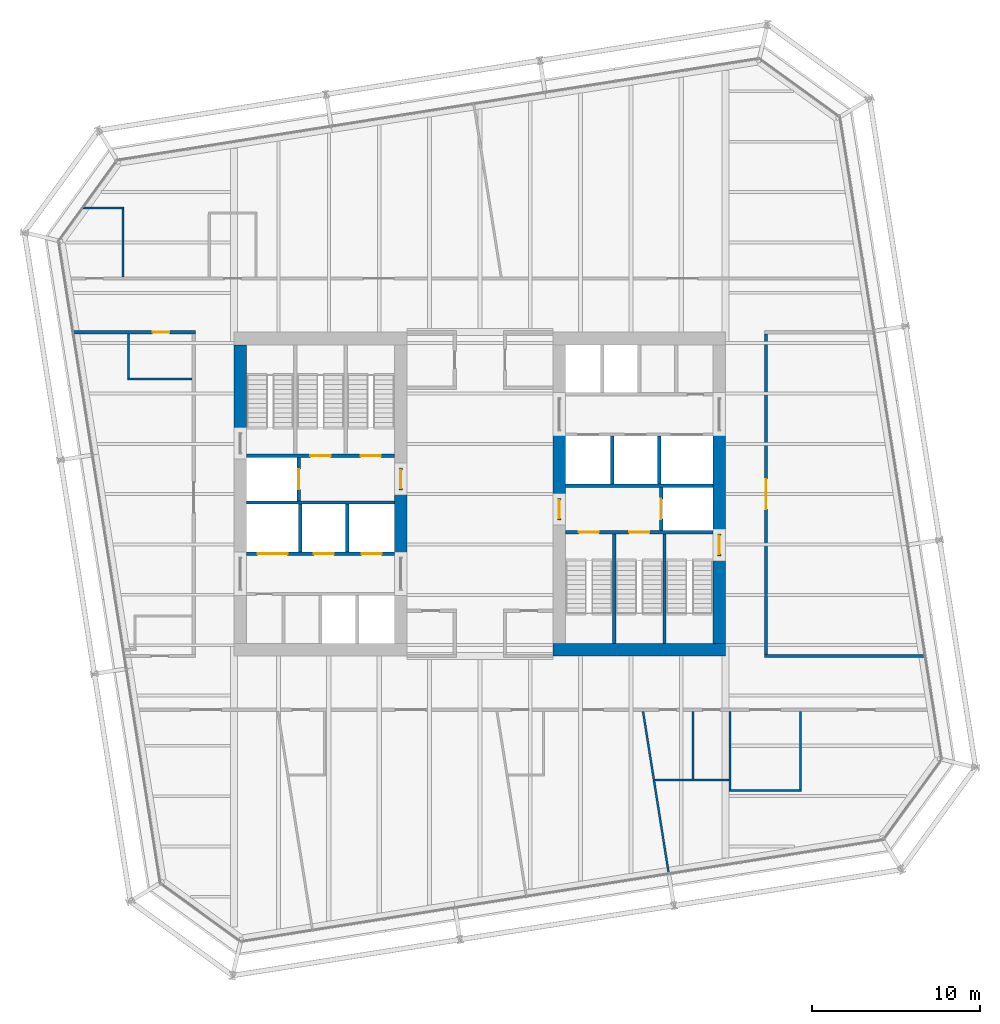
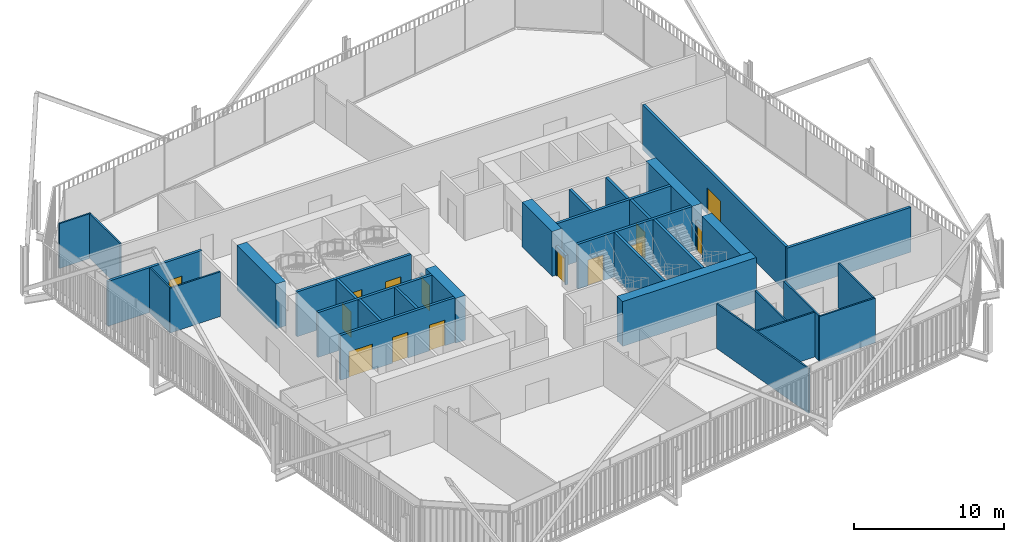
# One storey, part 19 of 22: 35 walls, 14 doors, 14 openings.
"""IFC4 building model written with IfcOpenShell, lengths in metres."""

from ifc_helpers import new_model, si_unit, direction, frame, frame_2d, origin, place, context, subcontext, project, spatial, rectangle, extrude, material, layer, layer_set, type_object, element, fill, save


model = new_model("IFC4")

# Units and contexts
model_context = context("Model", 3, precision=1e-05, world=origin(), true_north=direction((0.0, 1.0)))
body_context = subcontext(model_context, "Body", "Model", "MODEL_VIEW")
ifc_project = project(units=[si_unit("LENGTHUNIT", "METRE"), si_unit("AREAUNIT", "SQUARE_METRE"), si_unit("VOLUMEUNIT", "CUBIC_METRE"), si_unit("PLANEANGLEUNIT", "RADIAN"), si_unit("MASSUNIT", "GRAM", prefix="KILO")], contexts=[model_context])

# Site, building, storey
site_placement = place(None, origin())
site = spatial("IfcSite", under=ifc_project, at=site_placement, CompositionType="ELEMENT")
building_placement = place(site_placement, origin())
building = spatial("IfcBuilding", under=site, at=building_placement, Name="Millrace Tower", CompositionType="ELEMENT")
storey_placement = place(building_placement, frame((0.0, 0.0, 168.5)))
storey = spatial("IfcBuildingStorey", under=building, at=storey_placement, Name="L38", CompositionType="ELEMENT", Elevation=168.5)

# Walls
ifc_material_1 = material(Name="Concrete C70", Category="concrete")
ifc_layer_1 = layer(ifc_material_1, 0.75)
ifc_layer_set_1 = layer_set([ifc_layer_1], Name="Concrete C70")
wall_type_1 = type_object("IfcWallType", Name="Core wall 750 Concrete C70", PredefinedType="SHEAR", material=ifc_layer_set_1)
wall_1_placement = place(storey_placement, frame((-14.27490234375, 3.679931640625, 0.0), z_axis=(0.0, 0.0, 1.0), x_axis=(0.0, 1.0, 0.0)))
element("IfcWall", 1, at=wall_1_placement, inside=storey, type_object=wall_type_1, Name="Core wall W L38", PredefinedType="SHEAR", context=body_context, shape_type="SweptSolid", body=[
    extrude(rectangle(XDim=5.219970703125, YDim=0.75, at=frame_2d((2.60986328125, 0.0))), origin(), (0.0, 0.0, 1.0), 3.64990234375),
])
wall_2_placement = place(storey_placement, frame((-4.72509765625, -3.75, 0.0), z_axis=(0.0, 0.0, 1.0), x_axis=(0.0, 1.0, 0.0)))
element("IfcWall", 2, at=wall_2_placement, inside=storey, type_object=wall_type_1, Name="Core wall W L38", PredefinedType="SHEAR", context=body_context, shape_type="SweptSolid", body=[
    extrude(rectangle(XDim=4.0, YDim=0.75, at=frame_2d((2.0, 0.0))), origin(), (0.0, 0.0, 1.0), 3.64990234375),
])
wall_3_placement = place(storey_placement, frame((14.64990234375, -9.27490234375, 0.0), z_axis=(0.0, 0.0, 1.0), x_axis=(-1.0, 0.0, 0.0)))
element("IfcWall", 3, at=wall_3_placement, inside=storey, type_object=wall_type_1, Name="Core wall E L38", PredefinedType="SHEAR", context=body_context, shape_type="SweptSolid", body=[
    extrude(rectangle(XDim=10.2998046875, YDim=0.75, at=frame_2d((5.14990234375, 0.0))), origin(), (0.0, 0.0, 1.0), 3.64990234375),
])
wall_4_placement = place(storey_placement, frame((14.27490234375, 3.75, 0.0), z_axis=(0.0, 0.0, 1.0), x_axis=(0.0, -1.0, 0.0)))
element("IfcWall", 4, at=wall_4_placement, inside=storey, type_object=wall_type_1, Name="Core wall E L38", PredefinedType="SHEAR", context=body_context, shape_type="SweptSolid", body=[
    extrude(rectangle(XDim=6.1298828125, YDim=0.75, at=frame_2d((3.06494140625, 0.0))), origin(), (0.0, 0.0, 1.0), 3.64990234375),
])
wall_5_placement = place(storey_placement, frame((14.27490234375, -3.679931640625, 0.0), z_axis=(0.0, 0.0, 1.0), x_axis=(0.0, -1.0, 0.0)))
element("IfcWall", 5, at=wall_5_placement, inside=storey, type_object=wall_type_1, Name="Core wall E L38", PredefinedType="SHEAR", context=body_context, shape_type="SweptSolid", body=[
    extrude(rectangle(XDim=5.219970703125, YDim=0.75, at=frame_2d((2.60986328125, 0.0))), origin(), (0.0, 0.0, 1.0), 3.64990234375),
])
wall_6_placement = place(storey_placement, frame((4.72509765625, 3.75, 0.0), z_axis=(0.0, 0.0, 1.0), x_axis=(0.0, -1.0, 0.0)))
element("IfcWall", 6, at=wall_6_placement, inside=storey, type_object=wall_type_1, Name="Core wall E L38", PredefinedType="SHEAR", context=body_context, shape_type="SweptSolid", body=[
    extrude(rectangle(XDim=4.0, YDim=0.75, at=frame_2d((2.0, 0.0))), origin(), (0.0, 0.0, 1.0), 3.64990234375),
])
ifc_material_2 = material(Name="Masonry partition, fire-rated", Category="masonry")
ifc_layer_2 = layer(ifc_material_2, 0.199951171875)
ifc_layer_set_2 = layer_set([ifc_layer_2], Name="Masonry partition, fire-rated")
wall_type_2 = type_object("IfcWallType", Name="Corridor wall 200", PredefinedType="PARTITIONING", material=ifc_layer_set_2)
wall_7_placement = place(storey_placement, frame((16.949951171875, -9.64990234375, 0.0), z_axis=(0.0, 0.0, 1.0), x_axis=(1.0, 0.0, 0.0)))
element("IfcWall", 7, at=wall_7_placement, inside=storey, type_object=wall_type_2, Name="Corridor wall L38", PredefinedType="PARTITIONING", context=body_context, shape_type="SweptSolid", body=[
    extrude(rectangle(XDim=9.54638671875, YDim=0.199951171875, at=frame_2d((4.773193359375, 0.0))), origin(), (0.0, 0.0, 1.0), 3.64990234375),
])

# Wall, opening, door
wall_8_placement = place(storey_placement, frame((-24.20703125, 9.64990234375, 0.0), z_axis=(0.0, 0.0, 1.0), x_axis=(1.0, 0.0, 0.0)))
wall_8 = element("IfcWall", 8, at=wall_8_placement, inside=storey, type_object=wall_type_2, Name="Corridor wall L38", PredefinedType="PARTITIONING", context=body_context, shape_type="SweptSolid", body=[
    extrude(rectangle(XDim=7.257080078125, YDim=0.199951171875, at=frame_2d((3.62841796875, 0.0))), origin(), (0.0, 0.0, 1.0), 3.64990234375),
])
opening_1_placement = place(wall_8_placement, frame((4.70703125, 0.0, 0.0)))
opening_1 = element("IfcOpeningElement", 9, at=opening_1_placement, cuts=wall_8, Name="Opening 38-P021", PredefinedType="OPENING", context=body_context, shape_type="SweptSolid", body=[
    extrude(rectangle(XDim=1.0, YDim=2.10009765625, at=frame_2d((0.5, 1.050048828125))), frame((0.0, 0.10986328125, 0.0), z_axis=(0.0, -1.0, 0.0), x_axis=(1.0, 0.0, 0.0)), (0.0, 0.0, 1.0), 0.219970703125),
])
ifc_material_3 = material(Name="Steel door set, fire-rated", Category="steel")
door_type_1 = type_object("IfcDoorType", Name="Corridor door 1000 x 2100", OperationType="SINGLE_SWING_LEFT", PredefinedType="DOOR", material=ifc_material_3)
door_1_placement = place(opening_1_placement, frame((1.0, 0.0, 0.0), z_axis=(0.0, 0.0, 1.0), x_axis=(-1.0, 0.0, 0.0)))
door_1 = element("IfcDoor", 10, at=door_1_placement, inside=storey, type_object=door_type_1, Name="Door 38-P021", OperationType="SINGLE_SWING_LEFT", OverallHeight=2.10009765625, OverallWidth=1.0, PredefinedType="DOOR", context=body_context, shape_type="SweptSolid", body=[
    extrude(rectangle(XDim=1.0, YDim=2.10009765625, at=frame_2d((0.5, 1.050048828125))), frame((0.0, 0.02490234375, 0.0), z_axis=(0.0, -1.0, 0.0), x_axis=(1.0, 0.0, 0.0)), (0.0, 0.0, 1.0), 0.050048828125),
])
fill(opening_1, door_1)

wall_9_placement = place(storey_placement, frame((17.050048828125, -9.550048828125, 0.0), z_axis=(0.0, 0.0, 1.0), x_axis=(0.0, 1.0, 0.0)))
wall_9 = element("IfcWall", 11, at=wall_9_placement, inside=storey, type_object=wall_type_2, Name="Corridor wall L38", PredefinedType="PARTITIONING", context=body_context, shape_type="SweptSolid", body=[
    extrude(rectangle(XDim=19.10009765625, YDim=0.199951171875, at=frame_2d((9.550048828125, 0.0))), origin(), (0.0, 0.0, 1.0), 3.64990234375),
])
opening_2_placement = place(wall_9_placement, frame((8.64990234375, 0.0, 0.0)))
opening_2 = element("IfcOpeningElement", 12, at=opening_2_placement, cuts=wall_9, Name="Opening 38-P009", PredefinedType="OPENING", context=body_context, shape_type="SweptSolid", body=[
    extrude(rectangle(XDim=1.800048828125, YDim=2.10009765625, at=frame_2d((0.89990234375, 1.050048828125))), frame((0.0, 0.10986328125, 0.0), z_axis=(0.0, -1.0, 0.0), x_axis=(1.0, 0.0, 0.0)), (0.0, 0.0, 1.0), 0.219970703125),
])
ifc_material_4 = material(Name="Steel door set, fire-rated", Category="steel")
door_type_2 = type_object("IfcDoorType", Name="Corridor door 1800 x 2100", OperationType="DOUBLE_DOOR_SINGLE_SWING", PredefinedType="DOOR", material=ifc_material_4)
door_2_placement = place(opening_2_placement, origin())
door_2 = element("IfcDoor", 13, at=door_2_placement, inside=storey, type_object=door_type_2, Name="Door 38-P009", OperationType="DOUBLE_DOOR_SINGLE_SWING", OverallHeight=2.10009765625, OverallWidth=1.800048828125, PredefinedType="DOOR", context=body_context, shape_type="SweptSolid", body=[
    extrude(rectangle(XDim=1.800048828125, YDim=2.10009765625, at=frame_2d((0.89990234375, 1.050048828125))), frame((0.0, 0.02490234375, 0.0), z_axis=(0.0, -1.0, 0.0), x_axis=(1.0, 0.0, 0.0)), (0.0, 0.0, 1.0), 0.050048828125),
])
fill(opening_2, door_2)

# Wall, openings, doors
ifc_material_5 = material(Name="Masonry partition, fire-rated", Category="masonry")
ifc_layer_3 = layer(ifc_material_5, 0.199951171875)
ifc_layer_set_3 = layer_set([ifc_layer_3], Name="Masonry partition, fire-rated")
wall_type_3 = type_object("IfcWallType", Name="Lift shaft wall 200", PredefinedType="PARTITIONING", material=ifc_layer_set_3)
wall_10_placement = place(storey_placement, frame((-13.89990234375, -3.550048828125, 0.0), z_axis=(0.0, 0.0, 1.0), x_axis=(1.0, 0.0, 0.0)))
wall_10 = element("IfcWall", 14, at=wall_10_placement, inside=storey, type_object=wall_type_3, Name="Lift shaft wall W L38", PredefinedType="PARTITIONING", context=body_context, shape_type="SweptSolid", body=[
    extrude(rectangle(XDim=8.7998046875, YDim=0.199951171875, at=frame_2d((4.39990234375, 0.0))), origin(), (0.0, 0.0, 1.0), 3.64990234375),
])
opening_3_placement = place(wall_10_placement, frame((0.64990234375, 0.0, 0.0)))
opening_3 = element("IfcOpeningElement", 15, at=opening_3_placement, cuts=wall_10, Name="Opening 38-LD05", PredefinedType="OPENING", context=body_context, shape_type="SweptSolid", body=[
    extrude(rectangle(XDim=1.800048828125, YDim=2.10009765625, at=frame_2d((0.89990234375, 1.050048828125))), frame((0.0, 0.10986328125, 0.0), z_axis=(0.0, -1.0, 0.0), x_axis=(1.0, 0.0, 0.0)), (0.0, 0.0, 1.0), 0.219970703125),
])
opening_4_placement = place(wall_10_placement, frame((4.0, 0.0, 0.0)))
opening_4 = element("IfcOpeningElement", 16, at=opening_4_placement, cuts=wall_10, Name="Opening 38-LD06", PredefinedType="OPENING", context=body_context, shape_type="SweptSolid", body=[
    extrude(rectangle(XDim=1.199951171875, YDim=2.10009765625, at=frame_2d((0.60009765625, 1.050048828125))), frame((0.0, 0.10986328125, 0.0), z_axis=(0.0, -1.0, 0.0), x_axis=(1.0, 0.0, 0.0)), (0.0, 0.0, 1.0), 0.219970703125),
])
opening_5_placement = place(wall_10_placement, frame((6.85009765625, 0.0, 0.0)))
opening_5 = element("IfcOpeningElement", 17, at=opening_5_placement, cuts=wall_10, Name="Opening 38-LD07", PredefinedType="OPENING", context=body_context, shape_type="SweptSolid", body=[
    extrude(rectangle(XDim=1.199951171875, YDim=2.10009765625, at=frame_2d((0.60009765625, 1.050048828125))), frame((0.0, 0.10986328125, 0.0), z_axis=(0.0, -1.0, 0.0), x_axis=(1.0, 0.0, 0.0)), (0.0, 0.0, 1.0), 0.219970703125),
])
ifc_material_6 = material(Name="Stainless steel, fire-rated", Category="steel")
door_type_3 = type_object("IfcDoorType", Name="Lift landing door 1200 x 2100", OperationType="DOUBLE_DOOR_SLIDING", PredefinedType="DOOR", material=ifc_material_6)
door_3_placement = place(opening_4_placement, origin())
door_3 = element("IfcDoor", 18, at=door_3_placement, inside=storey, type_object=door_type_3, Name="Lift landing door LF6 L38", OperationType="DOUBLE_DOOR_SLIDING", OverallHeight=2.10009765625, OverallWidth=1.199951171875, PredefinedType="DOOR", context=body_context, shape_type="SweptSolid", body=[
    extrude(rectangle(XDim=1.199951171875, YDim=2.10009765625, at=frame_2d((0.60009765625, 1.050048828125))), frame((0.0, 0.02490234375, 0.0), z_axis=(0.0, -1.0, 0.0), x_axis=(1.0, 0.0, 0.0)), (0.0, 0.0, 1.0), 0.050048828125),
])
fill(opening_4, door_3)
door_4_placement = place(opening_5_placement, origin())
door_4 = element("IfcDoor", 19, at=door_4_placement, inside=storey, type_object=door_type_3, Name="Lift landing door LF7 L38", OperationType="DOUBLE_DOOR_SLIDING", OverallHeight=2.10009765625, OverallWidth=1.199951171875, PredefinedType="DOOR", context=body_context, shape_type="SweptSolid", body=[
    extrude(rectangle(XDim=1.199951171875, YDim=2.10009765625, at=frame_2d((0.60009765625, 1.050048828125))), frame((0.0, 0.02490234375, 0.0), z_axis=(0.0, -1.0, 0.0), x_axis=(1.0, 0.0, 0.0)), (0.0, 0.0, 1.0), 0.050048828125),
])
fill(opening_5, door_4)
ifc_material_7 = material(Name="Stainless steel, fire-rated", Category="steel")
door_type_4 = type_object("IfcDoorType", Name="Lift landing door 1800 x 2100", OperationType="DOUBLE_DOOR_SLIDING", PredefinedType="DOOR", material=ifc_material_7)
door_5_placement = place(opening_3_placement, origin())
door_5 = element("IfcDoor", 20, at=door_5_placement, inside=storey, type_object=door_type_4, Name="Lift landing door LF5 L38", OperationType="DOUBLE_DOOR_SLIDING", OverallHeight=2.10009765625, OverallWidth=1.800048828125, PredefinedType="DOOR", context=body_context, shape_type="SweptSolid", body=[
    extrude(rectangle(XDim=1.800048828125, YDim=2.10009765625, at=frame_2d((0.89990234375, 1.050048828125))), frame((0.0, 0.02490234375, 0.0), z_axis=(0.0, -1.0, 0.0), x_axis=(1.0, 0.0, 0.0)), (0.0, 0.0, 1.0), 0.050048828125),
])
fill(opening_3, door_5)

# Wall
wall_11_placement = place(storey_placement, frame((-13.89990234375, -0.5, 0.0), z_axis=(0.0, 0.0, 1.0), x_axis=(1.0, 0.0, 0.0)))
element("IfcWall", 21, at=wall_11_placement, inside=storey, type_object=wall_type_3, Name="Lift shaft wall W L38", PredefinedType="PARTITIONING", context=body_context, shape_type="SweptSolid", body=[
    extrude(rectangle(XDim=8.7998046875, YDim=0.199951171875, at=frame_2d((4.39990234375, 0.0))), origin(), (0.0, 0.0, 1.0), 3.64990234375),
])

# Wall, opening, door
wall_12_placement = place(storey_placement, frame((-10.800048828125, -0.39990234375, 0.0), z_axis=(0.0, 0.0, 1.0), x_axis=(0.0, 1.0, 0.0)))
wall_12 = element("IfcWall", 22, at=wall_12_placement, inside=storey, type_object=wall_type_3, Name="Lift shaft wall W L38", PredefinedType="PARTITIONING", context=body_context, shape_type="SweptSolid", body=[
    extrude(rectangle(XDim=2.579833984375, YDim=0.199951171875, at=frame_2d((1.2900390625, 0.0))), origin(), (0.0, 0.0, 1.0), 3.64990234375),
])
opening_6_placement = place(wall_12_placement, frame((0.68994140625, 0.0, 0.0)))
opening_6 = element("IfcOpeningElement", 23, at=opening_6_placement, cuts=wall_12, Name="Opening 38-LD08", PredefinedType="OPENING", context=body_context, shape_type="SweptSolid", body=[
    extrude(rectangle(XDim=1.199951171875, YDim=2.10009765625, at=frame_2d((0.60009765625, 1.050048828125))), frame((0.0, 0.10986328125, 0.0), z_axis=(0.0, -1.0, 0.0), x_axis=(1.0, 0.0, 0.0)), (0.0, 0.0, 1.0), 0.219970703125),
])
door_6_placement = place(opening_6_placement, origin())
door_6 = element("IfcDoor", 24, at=door_6_placement, inside=storey, type_object=door_type_3, Name="Lift landing door LF8 L38", OperationType="DOUBLE_DOOR_SLIDING", OverallHeight=2.10009765625, OverallWidth=1.199951171875, PredefinedType="DOOR", context=body_context, shape_type="SweptSolid", body=[
    extrude(rectangle(XDim=1.199951171875, YDim=2.10009765625, at=frame_2d((0.60009765625, 1.050048828125))), frame((0.0, 0.02490234375, 0.0), z_axis=(0.0, -1.0, 0.0), x_axis=(1.0, 0.0, 0.0)), (0.0, 0.0, 1.0), 0.050048828125),
])
fill(opening_6, door_6)

# Walls
for number, where, z_axis, x_axis, name in (
    (25, (-10.699951171875, -3.449951171875, 0.0), (0.0, 0.0, 1.0), (0.0, 1.0, 0.0), "Lift shaft wall W L38"),
    (26, (-7.89990234375, -3.449951171875, 0.0), (0.0, 0.0, 1.0), (0.0, 1.0, 0.0), "Lift shaft wall W L38"),
):
    element("IfcWall", number, at=place(storey_placement, frame(where, z_axis=z_axis, x_axis=x_axis)), inside=storey, type_object=wall_type_3, Name=name, PredefinedType="PARTITIONING", context=body_context, shape_type="SweptSolid", body=[
        extrude(rectangle(XDim=2.849853515625, YDim=0.199951171875, at=frame_2d((1.4248046875, 0.0))), origin(), (0.0, 0.0, 1.0), 3.64990234375),
    ])
wall_13_placement = place(storey_placement, frame((13.89990234375, 0.5, 0.0), z_axis=(0.0, 0.0, 1.0), x_axis=(-1.0, 0.0, 0.0)))
element("IfcWall", 27, at=wall_13_placement, inside=storey, type_object=wall_type_3, Name="Lift shaft wall E L38", PredefinedType="PARTITIONING", context=body_context, shape_type="SweptSolid", body=[
    extrude(rectangle(XDim=8.7998046875, YDim=0.199951171875, at=frame_2d((4.39990234375, 0.0))), origin(), (0.0, 0.0, 1.0), 3.64990234375),
])

# Wall, opening, door
wall_14_placement = place(storey_placement, frame((10.800048828125, 0.39990234375, 0.0), z_axis=(0.0, 0.0, 1.0), x_axis=(0.0, -1.0, 0.0)))
wall_14 = element("IfcWall", 28, at=wall_14_placement, inside=storey, type_object=wall_type_3, Name="Lift shaft wall E L38", PredefinedType="PARTITIONING", context=body_context, shape_type="SweptSolid", body=[
    extrude(rectangle(XDim=2.579833984375, YDim=0.199951171875, at=frame_2d((1.2900390625, 0.0))), origin(), (0.0, 0.0, 1.0), 3.64990234375),
])
opening_7_placement = place(wall_14_placement, frame((0.68994140625, 0.0, 0.0)))
opening_7 = element("IfcOpeningElement", 29, at=opening_7_placement, cuts=wall_14, Name="Opening 38-LD16", PredefinedType="OPENING", context=body_context, shape_type="SweptSolid", body=[
    extrude(rectangle(XDim=1.199951171875, YDim=2.10009765625, at=frame_2d((0.60009765625, 1.050048828125))), frame((0.0, 0.10986328125, 0.0), z_axis=(0.0, -1.0, 0.0), x_axis=(1.0, 0.0, 0.0)), (0.0, 0.0, 1.0), 0.219970703125),
])
door_7_placement = place(opening_7_placement, origin())
door_7 = element("IfcDoor", 30, at=door_7_placement, inside=storey, type_object=door_type_3, Name="Lift landing door LF16 L38", OperationType="DOUBLE_DOOR_SLIDING", OverallHeight=2.10009765625, OverallWidth=1.199951171875, PredefinedType="DOOR", context=body_context, shape_type="SweptSolid", body=[
    extrude(rectangle(XDim=1.199951171875, YDim=2.10009765625, at=frame_2d((0.60009765625, 1.050048828125))), frame((0.0, 0.02490234375, 0.0), z_axis=(0.0, -1.0, 0.0), x_axis=(1.0, 0.0, 0.0)), (0.0, 0.0, 1.0), 0.050048828125),
])
fill(opening_7, door_7)

# Walls
for number, where, z_axis, x_axis, name in (
    (31, (10.699951171875, 3.449951171875, 0.0), (0.0, 0.0, 1.0), (0.0, -1.0, 0.0), "Lift shaft wall E L38"),
    (32, (7.89990234375, 3.449951171875, 0.0), (0.0, 0.0, 1.0), (0.0, -1.0, 0.0), "Lift shaft wall E L38"),
):
    element("IfcWall", number, at=place(storey_placement, frame(where, z_axis=z_axis, x_axis=x_axis)), inside=storey, type_object=wall_type_3, Name=name, PredefinedType="PARTITIONING", context=body_context, shape_type="SweptSolid", body=[
        extrude(rectangle(XDim=2.849853515625, YDim=0.199951171875, at=frame_2d((1.4248046875, 0.0))), origin(), (0.0, 0.0, 1.0), 3.64990234375),
    ])

# Wall, opening, door
ifc_material_8 = material(Name="Masonry partition, fire-rated", Category="masonry")
ifc_layer_4 = layer(ifc_material_8, 0.199951171875)
ifc_layer_set_4 = layer_set([ifc_layer_4], Name="Masonry partition, fire-rated")
wall_type_4 = type_object("IfcWallType", Name="Lobby wall 200", PredefinedType="PARTITIONING", material=ifc_layer_set_4)
wall_15_placement = place(storey_placement, frame((-4.72509765625, 0.25, 0.0), z_axis=(0.0, 0.0, 1.0), x_axis=(0.0, 1.0, 0.0)))
wall_15 = element("IfcWall", 33, at=wall_15_placement, inside=storey, type_object=wall_type_4, Name="Lobby wall W L38", PredefinedType="PARTITIONING", context=body_context, shape_type="SweptSolid", body=[
    extrude(rectangle(XDim=1.300048828125, YDim=0.199951171875, at=frame_2d((0.64990234375, 0.0))), origin(), (0.0, 0.0, 1.0), 2.39990234375),
])
opening_8_placement = place(wall_15_placement, frame((0.10009765625, 0.0, 0.0)))
opening_8 = element("IfcOpeningElement", 34, at=opening_8_placement, cuts=wall_15, Name="Opening 38-C004", PredefinedType="OPENING", context=body_context, shape_type="SweptSolid", body=[
    extrude(rectangle(XDim=1.10009765625, YDim=2.10009765625, at=frame_2d((0.550048828125, 1.050048828125))), frame((0.0, 0.10986328125, 0.0), z_axis=(0.0, -1.0, 0.0), x_axis=(1.0, 0.0, 0.0)), (0.0, 0.0, 1.0), 0.219970703125),
])
ifc_material_9 = material(Name="Steel door, fire-rated", Category="steel")
door_type_5 = type_object("IfcDoorType", Name="Lobby door 1100 x 2100", OperationType="SINGLE_SWING_LEFT", PredefinedType="DOOR", material=ifc_material_9)
door_8_placement = place(opening_8_placement, origin())
door_8 = element("IfcDoor", 35, at=door_8_placement, inside=storey, type_object=door_type_5, Name="Lobby door 38-C004", OperationType="SINGLE_SWING_LEFT", OverallHeight=2.10009765625, OverallWidth=1.10009765625, PredefinedType="DOOR", context=body_context, shape_type="SweptSolid", body=[
    extrude(rectangle(XDim=1.10009765625, YDim=2.10009765625, at=frame_2d((0.550048828125, 1.050048828125))), frame((0.0, 0.02490234375, 0.0), z_axis=(0.0, -1.0, 0.0), x_axis=(1.0, 0.0, 0.0)), (0.0, 0.0, 1.0), 0.050048828125),
])
fill(opening_8, door_8)

wall_16_placement = place(storey_placement, frame((4.72509765625, -0.25, 0.0), z_axis=(0.0, 0.0, 1.0), x_axis=(0.0, -1.0, 0.0)))
wall_16 = element("IfcWall", 36, at=wall_16_placement, inside=storey, type_object=wall_type_4, Name="Lobby wall E L38", PredefinedType="PARTITIONING", context=body_context, shape_type="SweptSolid", body=[
    extrude(rectangle(XDim=1.300048828125, YDim=0.199951171875, at=frame_2d((0.64990234375, 0.0))), origin(), (0.0, 0.0, 1.0), 2.39990234375),
])
opening_9_placement = place(wall_16_placement, frame((0.10009765625, 0.0, 0.0)))
opening_9 = element("IfcOpeningElement", 37, at=opening_9_placement, cuts=wall_16, Name="Opening 38-C011", PredefinedType="OPENING", context=body_context, shape_type="SweptSolid", body=[
    extrude(rectangle(XDim=1.10009765625, YDim=2.10009765625, at=frame_2d((0.550048828125, 1.050048828125))), frame((0.0, 0.10986328125, 0.0), z_axis=(0.0, -1.0, 0.0), x_axis=(1.0, 0.0, 0.0)), (0.0, 0.0, 1.0), 0.219970703125),
])
door_9_placement = place(opening_9_placement, origin())
door_9 = element("IfcDoor", 38, at=door_9_placement, inside=storey, type_object=door_type_5, Name="Lobby door 38-C011", OperationType="SINGLE_SWING_RIGHT", OverallHeight=2.10009765625, OverallWidth=1.10009765625, PredefinedType="DOOR", context=body_context, shape_type="SweptSolid", body=[
    extrude(rectangle(XDim=1.10009765625, YDim=2.10009765625, at=frame_2d((0.550048828125, 1.050048828125))), frame((0.0, 0.02490234375, 0.0), z_axis=(0.0, -1.0, 0.0), x_axis=(1.0, 0.0, 0.0)), (0.0, 0.0, 1.0), 0.050048828125),
])
fill(opening_9, door_9)

# Walls
ifc_material_10 = material(Name="Gypsum board partition")
ifc_layer_5 = layer(ifc_material_10, 0.1201171875)
ifc_layer_set_5 = layer_set([ifc_layer_5], Name="Gypsum board partition")
wall_type_5 = type_object("IfcWallType", Name="Partition wall 120", PredefinedType="PARTITIONING", material=ifc_layer_set_5)
wall_17_placement = place(storey_placement, frame((9.724853515625, -12.948974609375, 0.0), z_axis=(0.0, 0.0, 1.0), x_axis=(0.156559017044, -0.987668605445, 0.0)))
element("IfcWall", 39, at=wall_17_placement, inside=storey, type_object=wall_type_5, Name="Partition wall L38", PredefinedType="PARTITIONING", context=body_context, shape_type="SweptSolid", body=[
    extrude(rectangle(XDim=9.752685546875, YDim=0.1201171875, at=frame_2d((4.87646484375, 0.0))), origin(), (0.0, 0.0, 1.0), 3.64990234375),
])
wall_18_placement = place(storey_placement, frame((14.85009765625, -17.64990234375, 0.0), z_axis=(0.0, 0.0, 1.0), x_axis=(1.0, 0.0, 0.0)))
element("IfcWall", 40, at=wall_18_placement, inside=storey, type_object=wall_type_5, Name="Partition wall L38", PredefinedType="PARTITIONING", context=body_context, shape_type="SweptSolid", body=[
    extrude(rectangle(XDim=4.31982421875, YDim=0.1201171875, at=frame_2d((2.159912109375, 0.0))), origin(), (0.0, 0.0, 1.0), 3.64990234375),
])
wall_19_placement = place(storey_placement, frame((10.435546875, -17.050048828125, 0.0), z_axis=(0.0, 0.0, 1.0), x_axis=(1.0, 0.0, 0.0)))
element("IfcWall", 41, at=wall_19_placement, inside=storey, type_object=wall_type_5, Name="Partition wall L38", PredefinedType="PARTITIONING", context=body_context, shape_type="SweptSolid", body=[
    extrude(rectangle(XDim=4.41455078125, YDim=0.1201171875, at=frame_2d((2.207275390625, 0.0))), origin(), (0.0, 0.0, 1.0), 3.64990234375),
])
wall_20_placement = place(storey_placement, frame((-21.010009765625, 6.85009765625, 0.0), z_axis=(0.0, 0.0, 1.0), x_axis=(1.0, 0.0, 0.0)))
element("IfcWall", 42, at=wall_20_placement, inside=storey, type_object=wall_type_5, Name="Partition wall L38", PredefinedType="PARTITIONING", context=body_context, shape_type="SweptSolid", body=[
    extrude(rectangle(XDim=3.860107421875, YDim=0.1201171875, at=frame_2d((1.93017578125, 0.0))), origin(), (0.0, 0.0, 1.0), 3.64990234375),
])
wall_21_placement = place(storey_placement, frame((-23.6474609375, 17.050048828125, 0.0), z_axis=(0.0, 0.0, 1.0), x_axis=(1.0, 0.0, 0.0)))
element("IfcWall", 43, at=wall_21_placement, inside=storey, type_object=wall_type_5, Name="Partition wall L38", PredefinedType="PARTITIONING", context=body_context, shape_type="SweptSolid", body=[
    extrude(rectangle(XDim=2.443359375, YDim=0.1201171875, at=frame_2d((1.2216796875, 0.0))), origin(), (0.0, 0.0, 1.0), 3.64990234375),
])
for number, where, z_axis, x_axis, name in (
    (44, (19.110107421875, -17.590087890625, 0.0), (0.0, 0.0, 1.0), (0.0, 1.0, 0.0), "Partition wall L38"),
    (45, (14.909912109375, -17.590087890625, 0.0), (0.0, 0.0, 1.0), (0.0, 1.0, 0.0), "Partition wall L38"),
):
    element("IfcWall", number, at=place(storey_placement, frame(where, z_axis=z_axis, x_axis=x_axis)), inside=storey, type_object=wall_type_5, Name=name, PredefinedType="PARTITIONING", context=body_context, shape_type="SweptSolid", body=[
        extrude(rectangle(XDim=4.64013671875, YDim=0.1201171875, at=frame_2d((2.320068359375, 0.0))), origin(), (0.0, 0.0, 1.0), 3.64990234375),
    ])
wall_22_placement = place(storey_placement, frame((12.7099609375, -16.989990234375, 0.0), z_axis=(0.0, 0.0, 1.0), x_axis=(0.0, 1.0, 0.0)))
element("IfcWall", 46, at=wall_22_placement, inside=storey, type_object=wall_type_5, Name="Partition wall L38", PredefinedType="PARTITIONING", context=body_context, shape_type="SweptSolid", body=[
    extrude(rectangle(XDim=4.0400390625, YDim=0.1201171875, at=frame_2d((2.02001953125, 0.0))), origin(), (0.0, 0.0, 1.0), 3.64990234375),
])
wall_23_placement = place(storey_placement, frame((-20.949951171875, 6.909912109375, 0.0), z_axis=(0.0, 0.0, 1.0), x_axis=(0.0, 1.0, 0.0)))
element("IfcWall", 47, at=wall_23_placement, inside=storey, type_object=wall_type_5, Name="Partition wall L38", PredefinedType="PARTITIONING", context=body_context, shape_type="SweptSolid", body=[
    extrude(rectangle(XDim=2.64013671875, YDim=0.1201171875, at=frame_2d((1.320068359375, 0.0))), origin(), (0.0, 0.0, 1.0), 3.64990234375),
])
wall_24_placement = place(storey_placement, frame((-21.262939453125, 12.949951171875, 0.0), z_axis=(0.0, 0.0, 1.0), x_axis=(0.0, 1.0, 0.0)))
element("IfcWall", 48, at=wall_24_placement, inside=storey, type_object=wall_type_5, Name="Partition wall L38", PredefinedType="PARTITIONING", context=body_context, shape_type="SweptSolid", body=[
    extrude(rectangle(XDim=4.0390625, YDim=0.1201171875, at=frame_2d((2.01953125, 0.0))), origin(), (0.0, 0.0, 1.0), 3.64990234375),
])

# Wall, openings, doors
ifc_material_11 = material(Name="Concrete C40", Category="concrete")
ifc_layer_6 = layer(ifc_material_11, 0.199951171875)
ifc_layer_set_6 = layer_set([ifc_layer_6], Name="Concrete C40")
wall_type_6 = type_object("IfcWallType", Name="Stair enclosure wall 200 Concrete C40", PredefinedType="SHEAR", material=ifc_layer_set_6)
wall_25_placement = place(storey_placement, frame((-13.89990234375, 2.280029296875, 0.0), z_axis=(0.0, 0.0, 1.0), x_axis=(1.0, 0.0, 0.0)))
wall_25 = element("IfcWall", 49, at=wall_25_placement, inside=storey, type_object=wall_type_6, Name="Stair enclosure wall W L38", PredefinedType="SHEAR", context=body_context, shape_type="SweptSolid", body=[
    extrude(rectangle(XDim=8.7998046875, YDim=0.199951171875, at=frame_2d((4.39990234375, 0.0))), origin(), (0.0, 0.0, 1.0), 3.64990234375),
])
opening_10_placement = place(wall_25_placement, frame((3.800048828125, 0.0, 0.0)))
opening_10 = element("IfcOpeningElement", 50, at=opening_10_placement, cuts=wall_25, Name="Opening 38-C006", PredefinedType="OPENING", context=body_context, shape_type="SweptSolid", body=[
    extrude(rectangle(XDim=1.199951171875, YDim=2.10009765625, at=frame_2d((0.60009765625, 1.050048828125))), frame((0.0, 0.10986328125, 0.0), z_axis=(0.0, -1.0, 0.0), x_axis=(1.0, 0.0, 0.0)), (0.0, 0.0, 1.0), 0.219970703125),
])
opening_11_placement = place(wall_25_placement, frame((6.800048828125, 0.0, 0.0)))
opening_11 = element("IfcOpeningElement", 51, at=opening_11_placement, cuts=wall_25, Name="Opening 38-C007", PredefinedType="OPENING", context=body_context, shape_type="SweptSolid", body=[
    extrude(rectangle(XDim=1.199951171875, YDim=2.10009765625, at=frame_2d((0.60009765625, 1.050048828125))), frame((0.0, 0.10986328125, 0.0), z_axis=(0.0, -1.0, 0.0), x_axis=(1.0, 0.0, 0.0)), (0.0, 0.0, 1.0), 0.219970703125),
])
ifc_material_12 = material(Name="Steel door, fire-rated", Category="steel")
door_type_6 = type_object("IfcDoorType", Name="Stair door 1200 x 2100", OperationType="SINGLE_SWING_LEFT", PredefinedType="DOOR", material=ifc_material_12)
door_10_placement = place(opening_10_placement, frame((1.199951171875, 0.0, 0.0), z_axis=(0.0, 0.0, 1.0), x_axis=(-1.0, 0.0, 0.0)))
door_10 = element("IfcDoor", 52, at=door_10_placement, inside=storey, type_object=door_type_6, Name="Stair door 38-C006", OperationType="SINGLE_SWING_RIGHT", OverallHeight=2.10009765625, OverallWidth=1.199951171875, PredefinedType="DOOR", context=body_context, shape_type="SweptSolid", body=[
    extrude(rectangle(XDim=1.199951171875, YDim=2.10009765625, at=frame_2d((0.60009765625, 1.050048828125))), frame((0.0, 0.02490234375, 0.0), z_axis=(0.0, -1.0, 0.0), x_axis=(1.0, 0.0, 0.0)), (0.0, 0.0, 1.0), 0.050048828125),
])
fill(opening_10, door_10)
door_11_placement = place(opening_11_placement, frame((1.199951171875, 0.0, 0.0), z_axis=(0.0, 0.0, 1.0), x_axis=(-1.0, 0.0, 0.0)))
door_11 = element("IfcDoor", 53, at=door_11_placement, inside=storey, type_object=door_type_6, Name="Stair door 38-C007", OperationType="SINGLE_SWING_LEFT", OverallHeight=2.10009765625, OverallWidth=1.199951171875, PredefinedType="DOOR", context=body_context, shape_type="SweptSolid", body=[
    extrude(rectangle(XDim=1.199951171875, YDim=2.10009765625, at=frame_2d((0.60009765625, 1.050048828125))), frame((0.0, 0.02490234375, 0.0), z_axis=(0.0, -1.0, 0.0), x_axis=(1.0, 0.0, 0.0)), (0.0, 0.0, 1.0), 0.050048828125),
])
fill(opening_11, door_11)

# Wall, opening, door
wall_26_placement = place(storey_placement, frame((14.27490234375, -2.3798828125, 0.0), z_axis=(0.0, 0.0, 1.0), x_axis=(0.0, -1.0, 0.0)))
wall_26 = element("IfcWall", 54, at=wall_26_placement, inside=storey, type_object=wall_type_6, Name="Stair enclosure wall E L38", PredefinedType="SHEAR", context=body_context, shape_type="SweptSolid", body=[
    extrude(rectangle(XDim=1.300048828125, YDim=0.199951171875, at=frame_2d((0.64990234375, 0.0))), origin(), (0.0, 0.0, 1.0), 2.39990234375),
])
opening_12_placement = place(wall_26_placement, frame((0.10009765625, 0.0, 0.0)))
opening_12 = element("IfcOpeningElement", 55, at=opening_12_placement, cuts=wall_26, Name="Opening 38-C009", PredefinedType="OPENING", context=body_context, shape_type="SweptSolid", body=[
    extrude(rectangle(XDim=1.10009765625, YDim=2.10009765625, at=frame_2d((0.550048828125, 1.050048828125))), frame((0.0, 0.10986328125, 0.0), z_axis=(0.0, -1.0, 0.0), x_axis=(1.0, 0.0, 0.0)), (0.0, 0.0, 1.0), 0.219970703125),
])
ifc_material_13 = material(Name="Steel door, fire-rated", Category="steel")
door_type_7 = type_object("IfcDoorType", Name="Stair door 1100 x 2100", OperationType="SINGLE_SWING_LEFT", PredefinedType="DOOR", material=ifc_material_13)
door_12_placement = place(opening_12_placement, origin())
door_12 = element("IfcDoor", 56, at=door_12_placement, inside=storey, type_object=door_type_7, Name="Stair door 38-C009", OperationType="SINGLE_SWING_LEFT", OverallHeight=2.10009765625, OverallWidth=1.10009765625, PredefinedType="DOOR", context=body_context, shape_type="SweptSolid", body=[
    extrude(rectangle(XDim=1.10009765625, YDim=2.10009765625, at=frame_2d((0.550048828125, 1.050048828125))), frame((0.0, 0.02490234375, 0.0), z_axis=(0.0, -1.0, 0.0), x_axis=(1.0, 0.0, 0.0)), (0.0, 0.0, 1.0), 0.050048828125),
])
fill(opening_12, door_12)

# Wall, openings, doors
wall_27_placement = place(storey_placement, frame((13.89990234375, -2.280029296875, 0.0), z_axis=(0.0, 0.0, 1.0), x_axis=(-1.0, 0.0, 0.0)))
wall_27 = element("IfcWall", 57, at=wall_27_placement, inside=storey, type_object=wall_type_6, Name="Stair enclosure wall E L38", PredefinedType="SHEAR", context=body_context, shape_type="SweptSolid", body=[
    extrude(rectangle(XDim=8.7998046875, YDim=0.199951171875, at=frame_2d((4.39990234375, 0.0))), origin(), (0.0, 0.0, 1.0), 3.64990234375),
])
opening_13_placement = place(wall_27_placement, frame((3.800048828125, 0.0, 0.0)))
opening_13 = element("IfcOpeningElement", 58, at=opening_13_placement, cuts=wall_27, Name="Opening 38-C013", PredefinedType="OPENING", context=body_context, shape_type="SweptSolid", body=[
    extrude(rectangle(XDim=1.199951171875, YDim=2.10009765625, at=frame_2d((0.60009765625, 1.050048828125))), frame((0.0, 0.10986328125, 0.0), z_axis=(0.0, -1.0, 0.0), x_axis=(1.0, 0.0, 0.0)), (0.0, 0.0, 1.0), 0.219970703125),
])
opening_14_placement = place(wall_27_placement, frame((6.800048828125, 0.0, 0.0)))
opening_14 = element("IfcOpeningElement", 59, at=opening_14_placement, cuts=wall_27, Name="Opening 38-C014", PredefinedType="OPENING", context=body_context, shape_type="SweptSolid", body=[
    extrude(rectangle(XDim=1.199951171875, YDim=2.10009765625, at=frame_2d((0.60009765625, 1.050048828125))), frame((0.0, 0.10986328125, 0.0), z_axis=(0.0, -1.0, 0.0), x_axis=(1.0, 0.0, 0.0)), (0.0, 0.0, 1.0), 0.219970703125),
])
door_13_placement = place(opening_13_placement, frame((1.199951171875, 0.0, 0.0), z_axis=(0.0, 0.0, 1.0), x_axis=(-1.0, 0.0, 0.0)))
door_13 = element("IfcDoor", 60, at=door_13_placement, inside=storey, type_object=door_type_6, Name="Stair door 38-C013", OperationType="SINGLE_SWING_RIGHT", OverallHeight=2.10009765625, OverallWidth=1.199951171875, PredefinedType="DOOR", context=body_context, shape_type="SweptSolid", body=[
    extrude(rectangle(XDim=1.199951171875, YDim=2.10009765625, at=frame_2d((0.60009765625, 1.050048828125))), frame((0.0, 0.02490234375, 0.0), z_axis=(0.0, -1.0, 0.0), x_axis=(1.0, 0.0, 0.0)), (0.0, 0.0, 1.0), 0.050048828125),
])
fill(opening_13, door_13)
door_14_placement = place(opening_14_placement, frame((1.199951171875, 0.0, 0.0), z_axis=(0.0, 0.0, 1.0), x_axis=(-1.0, 0.0, 0.0)))
door_14 = element("IfcDoor", 61, at=door_14_placement, inside=storey, type_object=door_type_6, Name="Stair door 38-C014", OperationType="SINGLE_SWING_LEFT", OverallHeight=2.10009765625, OverallWidth=1.199951171875, PredefinedType="DOOR", context=body_context, shape_type="SweptSolid", body=[
    extrude(rectangle(XDim=1.199951171875, YDim=2.10009765625, at=frame_2d((0.60009765625, 1.050048828125))), frame((0.0, 0.02490234375, 0.0), z_axis=(0.0, -1.0, 0.0), x_axis=(1.0, 0.0, 0.0)), (0.0, 0.0, 1.0), 0.050048828125),
])
fill(opening_14, door_14)

# Walls
for number, where, z_axis, x_axis, name in (
    (62, (11.0, -2.3798828125, 0.0), (0.0, 0.0, 1.0), (0.0, -1.0, 0.0), "Stair enclosure wall E L38"),
    (63, (8.0, -2.3798828125, 0.0), (0.0, 0.0, 1.0), (0.0, -1.0, 0.0), "Stair enclosure wall E L38"),
):
    element("IfcWall", number, at=place(storey_placement, frame(where, z_axis=z_axis, x_axis=x_axis)), inside=storey, type_object=wall_type_6, Name=name, PredefinedType="SHEAR", context=body_context, shape_type="SweptSolid", body=[
        extrude(rectangle(XDim=6.52001953125, YDim=0.199951171875, at=frame_2d((3.260009765625, 0.0))), origin(), (0.0, 0.0, 1.0), 3.64990234375),
    ])

save(model, "model.ifc")
